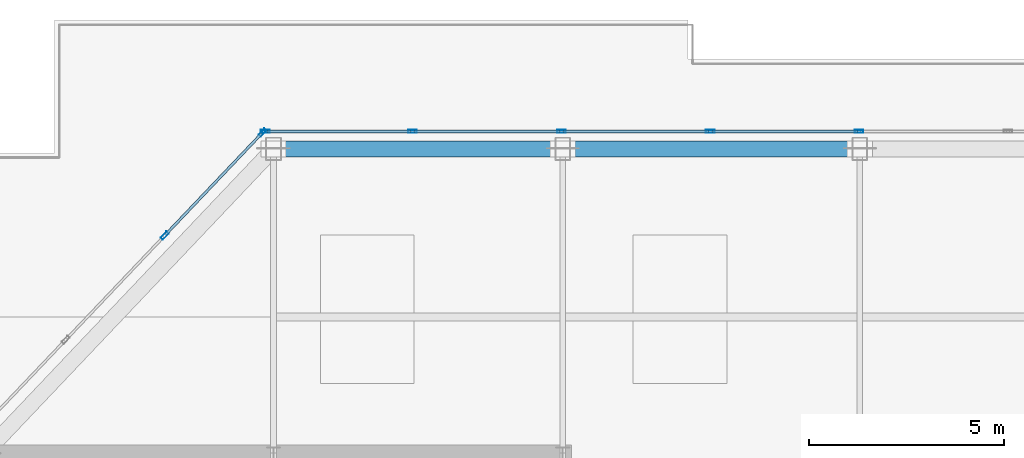
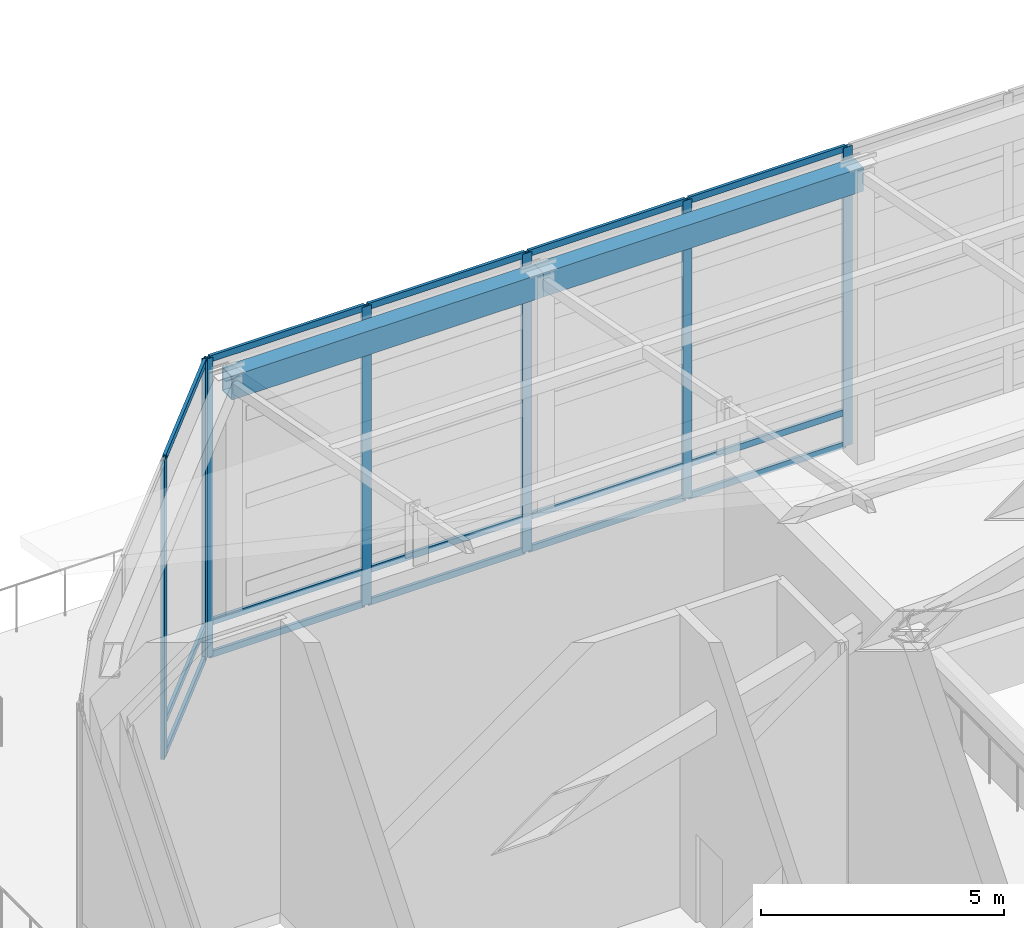
# One storey, part 17 of 25: 22 members, 2 beams, 2 elements without a shape of their own.
"""IFC4 building model written with IfcOpenShell, lengths in metres."""

from ifc_helpers import new_model, si_unit, direction, frame, origin, origin_2d, place, context, subcontext, project, spatial, hollow_rectangle, extrude, source, transform, mapped, material, layer, layer_set, material_profile, profile_set, type_object, type_shapes, element, aggregate, save


model = new_model("IFC4")

# Units and contexts
model_context = context("Model", 3, precision=1e-05, world=origin(), true_north=direction((0.0, 1.0)))
body_context = subcontext(model_context, "Body", "Model", "MODEL_VIEW")
ifc_project = project(units=[si_unit("LENGTHUNIT", "METRE"), si_unit("AREAUNIT", "SQUARE_METRE"), si_unit("VOLUMEUNIT", "CUBIC_METRE"), si_unit("PLANEANGLEUNIT", "RADIAN"), si_unit("MASSUNIT", "GRAM", prefix="KILO")], contexts=[model_context])

# Site, building, storey
site_placement = place(None, origin())
site = spatial("IfcSite", under=ifc_project, at=site_placement, CompositionType="ELEMENT")
building_placement = place(site_placement, origin())
building = spatial("IfcBuilding", under=site, at=building_placement, Name="Haelvirn Gate Laboratories", CompositionType="ELEMENT")
storey_placement = place(building_placement, frame((0.0, 0.0, 337.800048828125)))
storey = spatial("IfcBuildingStorey", under=building, at=storey_placement, Name="RF", CompositionType="ELEMENT", Elevation=337.800048828125)

# Beams
ifc_material_1 = material(Name="Steel SM420", Category="steel")
ifc_material_profile_1 = material_profile(ifc_material_1, hollow_rectangle(XDim=0.39990234375, YDim=0.60009765625, WallThickness=0.02490234375, at=origin_2d()), Name="BOX-600x400x25")
ifc_profile_set_1 = profile_set([ifc_material_profile_1], Name="Steel SM420")
beam_type = type_object("IfcBeamType", Name="BM-CROWN-CAP", PredefinedType="USERDEFINED", material=ifc_profile_set_1)
shared_shape_1 = source(origin(), body_context, "Body", "SweptSolid", [
    extrude(hollow_rectangle(XDim=0.39990234375, YDim=0.60009765625, WallThickness=0.02490234375, at=origin_2d()), origin(), (0.0, 0.0, 1.0), 7.39990234375),
])
beam_1_placement = place(storey_placement, frame((22.199951171875, 41.60009765625, 7.050048828125), z_axis=(-1.0, 0.0, 0.0), x_axis=(0.0, -1.0, 0.0)))
element("IfcBeam", 1, at=beam_1_placement, inside=storey, type_object=beam_type, Name="RF Crown Frame Cap Ring Beam N2-N1", ObjectType="CROWN FRAME", PredefinedType="USERDEFINED", context=body_context, shape_type="MappedRepresentation", body=[
    mapped(shared_shape_1, transform((0.0, 0.0, 0.0), scale=1.0)),
])
shared_shape_2 = source(origin(), body_context, "Body", "SweptSolid", [
    extrude(hollow_rectangle(XDim=0.39990234375, YDim=0.60009765625, WallThickness=0.02490234375, at=origin_2d()), origin(), (0.0, 0.0, 1.0), 7.60009765625),
])
type_shapes(beam_type, [shared_shape_1, shared_shape_2])
beam_2_placement = place(storey_placement, frame((29.800048828125, 41.60009765625, 7.050048828125), z_axis=(-1.0, 0.0, 0.0), x_axis=(0.0, -1.0, 0.0)))
element("IfcBeam", 2, at=beam_2_placement, inside=storey, type_object=beam_type, Name="RF Crown Frame Cap Ring Beam N3-N2", ObjectType="CROWN FRAME", PredefinedType="USERDEFINED", context=body_context, shape_type="MappedRepresentation", body=[
    mapped(shared_shape_2, transform((0.0, 0.0, 0.0), scale=1.0)),
])

# Curtain wall, members
ifc_material_2 = material(Name="Anodised bronze unitised aluminium & triple low-E glass", Category="aluminium")
ifc_layer = layer(ifc_material_2, 0.19189453125, Name="CW-SYS-6")
ifc_layer_set = layer_set([ifc_layer], Name="Anodised bronze unitised aluminium & triple low-E glass")
curtain_wall_type = type_object("IfcCurtainWallType", Name="CW-SYS-6", PredefinedType="NOTDEFINED", material=ifc_layer_set)
curtain_wall_1_placement = place(storey_placement, origin())
curtain_wall_1 = element("IfcCurtainWall", 3, at=curtain_wall_1_placement, inside=storey, type_object=curtain_wall_type, Name="RF Unitised Curtain Wall CW-RF-RING-04", PredefinedType="NOTDEFINED")
ifc_material_3 = material(Name="Extruded aluminium 6063-T6 (anodised bronze)", Category="aluminium")
ifc_material_profile_2 = material_profile(ifc_material_3, hollow_rectangle(XDim=0.080078125, YDim=0.219970703125, WallThickness=0.006103515625, at=origin_2d()), Name="CWM-220x80x6")
ifc_profile_set_2 = profile_set([ifc_material_profile_2], Name="Extruded aluminium 6063-T6 (anodised bronze)")
member_type_1 = type_object("IfcMemberType", Name="CWM-T220", PredefinedType="MULLION", material=ifc_profile_set_2)
shared_shape_3 = source(origin(), body_context, "Body", "SweptSolid", [
    extrude(hollow_rectangle(XDim=0.080078125, YDim=0.219970703125, WallThickness=0.006103515625, at=origin_2d()), origin(), (0.0, 0.0, 1.0), 7.5),
])
type_shapes(member_type_1, [shared_shape_3])
member_1_placement = place(storey_placement, frame((29.783447265625, 42.050048828125, 0.0), z_axis=(0.0, 0.0, 1.0), x_axis=(0.0, -1.0, 0.0)))
member_1 = element("IfcMember", 4, at=member_1_placement, type_object=member_type_1, Name="CW6 mullion 9", PredefinedType="MULLION", context=body_context, shape_type="MappedRepresentation", body=[
    mapped(shared_shape_3, transform((0.0, 0.0, 0.0), scale=1.0)),
])
member_2_placement = place(storey_placement, frame((25.97509765625, 42.050048828125, 0.0), z_axis=(0.0, 0.0, 1.0), x_axis=(0.0, -1.0, 0.0)))
member_2 = element("IfcMember", 5, at=member_2_placement, type_object=member_type_1, Name="CW6 mullion 10", PredefinedType="MULLION", context=body_context, shape_type="MappedRepresentation", body=[
    mapped(shared_shape_3, transform((0.0, 0.0, 0.0), scale=1.0)),
])
member_3_placement = place(storey_placement, frame((22.166748046875, 42.050048828125, 0.0), z_axis=(0.0, 0.0, 1.0), x_axis=(0.0, -1.0, 0.0)))
member_3 = element("IfcMember", 6, at=member_3_placement, type_object=member_type_1, Name="CW6 mullion 11", PredefinedType="MULLION", context=body_context, shape_type="MappedRepresentation", body=[
    mapped(shared_shape_3, transform((0.0, 0.0, 0.0), scale=1.0)),
])
member_4_placement = place(storey_placement, frame((18.3583984375, 42.050048828125, 0.0), z_axis=(0.0, 0.0, 1.0), x_axis=(0.0, -1.0, 0.0)))
member_4 = element("IfcMember", 7, at=member_4_placement, type_object=member_type_1, Name="CW6 mullion 12", PredefinedType="MULLION", context=body_context, shape_type="MappedRepresentation", body=[
    mapped(shared_shape_3, transform((0.0, 0.0, 0.0), scale=1.0)),
])
member_5_placement = place(storey_placement, frame((14.590087890625, 42.050048828125, 0.0), z_axis=(0.0, 0.0, 1.0), x_axis=(0.0, -1.0, 0.0)))
member_5 = element("IfcMember", 8, at=member_5_placement, type_object=member_type_1, Name="CW6 mullion 13", PredefinedType="MULLION", context=body_context, shape_type="MappedRepresentation", body=[
    mapped(shared_shape_3, transform((0.0, 0.0, 0.0), scale=1.0)),
])

curtain_wall_2_placement = place(storey_placement, origin())
curtain_wall_2 = element("IfcCurtainWall", 9, at=curtain_wall_2_placement, inside=storey, type_object=curtain_wall_type, Name="RF Unitised Curtain Wall CW-RF-RING-05", PredefinedType="NOTDEFINED")
member_6_placement = place(storey_placement, frame((14.5224609375, 42.02099609375, 0.0), z_axis=(0.0, 0.0, 1.0), x_axis=(0.72499943359, -0.68874946192, 0.0)))
member_6 = element("IfcMember", 10, at=member_6_placement, type_object=member_type_1, Name="CW6 mullion 1", PredefinedType="MULLION", context=body_context, shape_type="MappedRepresentation", body=[
    mapped(shared_shape_3, transform((0.0, 0.0, 0.0), scale=1.0)),
])
member_7_placement = place(storey_placement, frame((12.0166015625, 39.38330078125, 0.0), z_axis=(0.0, 0.0, 1.0), x_axis=(0.72499943359, -0.68874946192, 0.0)))
member_7 = element("IfcMember", 11, at=member_7_placement, type_object=member_type_1, Name="CW6 mullion 2", PredefinedType="MULLION", context=body_context, shape_type="MappedRepresentation", body=[
    mapped(shared_shape_3, transform((0.0, 0.0, 0.0), scale=1.0)),
])

# Member
ifc_material_profile_3 = material_profile(ifc_material_3, hollow_rectangle(XDim=0.070068359375, YDim=0.159912109375, WallThickness=0.0048828125, at=origin_2d()), Name="CWT-160x70x5")
ifc_profile_set_3 = profile_set([ifc_material_profile_3], Name="Extruded aluminium 6063-T6 (anodised bronze)")
member_type_2 = type_object("IfcMemberType", Name="CWT-T160", PredefinedType="USERDEFINED", material=ifc_profile_set_3)
shared_shape_4 = source(origin(), body_context, "Body", "SweptSolid", [
    extrude(hollow_rectangle(XDim=0.070068359375, YDim=0.159912109375, WallThickness=0.0048828125, at=origin_2d()), origin(), (0.0, 0.0, 1.0), 3.6884765625),
])
member_8_placement = place(storey_placement, frame((18.318359375, 42.050048828125, 0.034912109375), z_axis=(-1.0, 0.0, 0.0), x_axis=(0.0, -1.0, 0.0)))
member_8 = element("IfcMember", 12, at=member_8_placement, type_object=member_type_2, Name="CW6 transom 12.1", ObjectType="TRANSOM", PredefinedType="USERDEFINED", context=body_context, shape_type="MappedRepresentation", body=[
    mapped(shared_shape_4, transform((0.0, 0.0, 0.0), scale=1.0)),
])

member_9_placement = place(storey_placement, frame((18.318359375, 42.050048828125, 0.849853515625), z_axis=(-1.0, 0.0, 0.0), x_axis=(0.0, -1.0, 0.0)))
member_9 = element("IfcMember", 13, at=member_9_placement, type_object=member_type_2, Name="CW6 transom 12.2", ObjectType="TRANSOM", PredefinedType="USERDEFINED", context=body_context, shape_type="MappedRepresentation", body=[
    mapped(shared_shape_4, transform((0.0, 0.0, 0.0), scale=1.0)),
])

member_10_placement = place(storey_placement, frame((18.318359375, 42.050048828125, 7.46484375), z_axis=(-1.0, 0.0, 0.0), x_axis=(0.0, -1.0, 0.0)))
member_10 = element("IfcMember", 14, at=member_10_placement, type_object=member_type_2, Name="CW6 transom 12.3", ObjectType="TRANSOM", PredefinedType="USERDEFINED", context=body_context, shape_type="MappedRepresentation", body=[
    mapped(shared_shape_4, transform((0.0, 0.0, 0.0), scale=1.0)),
])

shared_shape_5 = source(origin(), body_context, "Body", "SweptSolid", [
    extrude(hollow_rectangle(XDim=0.070068359375, YDim=0.159912109375, WallThickness=0.0048828125, at=origin_2d()), origin(), (0.0, 0.0, 1.0), 3.728271484375),
])
member_11_placement = place(storey_placement, frame((25.93505859375, 42.050048828125, 0.034912109375), z_axis=(-1.0, 0.0, 0.0), x_axis=(0.0, -1.0, 0.0)))
member_11 = element("IfcMember", 15, at=member_11_placement, type_object=member_type_2, Name="CW6 transom 10.1", ObjectType="TRANSOM", PredefinedType="USERDEFINED", context=body_context, shape_type="MappedRepresentation", body=[
    mapped(shared_shape_5, transform((0.0, 0.0, 0.0), scale=1.0)),
])

member_12_placement = place(storey_placement, frame((25.93505859375, 42.050048828125, 0.849853515625), z_axis=(-1.0, 0.0, 0.0), x_axis=(0.0, -1.0, 0.0)))
member_12 = element("IfcMember", 16, at=member_12_placement, type_object=member_type_2, Name="CW6 transom 10.2", ObjectType="TRANSOM", PredefinedType="USERDEFINED", context=body_context, shape_type="MappedRepresentation", body=[
    mapped(shared_shape_5, transform((0.0, 0.0, 0.0), scale=1.0)),
])

member_13_placement = place(storey_placement, frame((25.93505859375, 42.050048828125, 7.46484375), z_axis=(-1.0, 0.0, 0.0), x_axis=(0.0, -1.0, 0.0)))
member_13 = element("IfcMember", 17, at=member_13_placement, type_object=member_type_2, Name="CW6 transom 10.3", ObjectType="TRANSOM", PredefinedType="USERDEFINED", context=body_context, shape_type="MappedRepresentation", body=[
    mapped(shared_shape_5, transform((0.0, 0.0, 0.0), scale=1.0)),
])

member_14_placement = place(storey_placement, frame((22.126708984375, 42.050048828125, 0.034912109375), z_axis=(-1.0, 0.0, 0.0), x_axis=(0.0, -1.0, 0.0)))
member_14 = element("IfcMember", 18, at=member_14_placement, type_object=member_type_2, Name="CW6 transom 11.1", ObjectType="TRANSOM", PredefinedType="USERDEFINED", context=body_context, shape_type="MappedRepresentation", body=[
    mapped(shared_shape_5, transform((0.0, 0.0, 0.0), scale=1.0)),
])

member_15_placement = place(storey_placement, frame((22.126708984375, 42.050048828125, 0.849853515625), z_axis=(-1.0, 0.0, 0.0), x_axis=(0.0, -1.0, 0.0)))
member_15 = element("IfcMember", 19, at=member_15_placement, type_object=member_type_2, Name="CW6 transom 11.2", ObjectType="TRANSOM", PredefinedType="USERDEFINED", context=body_context, shape_type="MappedRepresentation", body=[
    mapped(shared_shape_5, transform((0.0, 0.0, 0.0), scale=1.0)),
])

member_16_placement = place(storey_placement, frame((22.126708984375, 42.050048828125, 7.46484375), z_axis=(-1.0, 0.0, 0.0), x_axis=(0.0, -1.0, 0.0)))
member_16 = element("IfcMember", 20, at=member_16_placement, type_object=member_type_2, Name="CW6 transom 11.3", ObjectType="TRANSOM", PredefinedType="USERDEFINED", context=body_context, shape_type="MappedRepresentation", body=[
    mapped(shared_shape_5, transform((0.0, 0.0, 0.0), scale=1.0)),
])

shared_shape_6 = source(origin(), body_context, "Body", "SweptSolid", [
    extrude(hollow_rectangle(XDim=0.070068359375, YDim=0.159912109375, WallThickness=0.0048828125, at=origin_2d()), origin(), (0.0, 0.0, 1.0), 3.728515625),
])
member_17_placement = place(storey_placement, frame((29.743408203125, 42.050048828125, 0.034912109375), z_axis=(-1.0, 0.0, 0.0), x_axis=(0.0, -1.0, 0.0)))
member_17 = element("IfcMember", 21, at=member_17_placement, type_object=member_type_2, Name="CW6 transom 9.1", ObjectType="TRANSOM", PredefinedType="USERDEFINED", context=body_context, shape_type="MappedRepresentation", body=[
    mapped(shared_shape_6, transform((0.0, 0.0, 0.0), scale=1.0)),
])

member_18_placement = place(storey_placement, frame((29.743408203125, 42.050048828125, 0.849853515625), z_axis=(-1.0, 0.0, 0.0), x_axis=(0.0, -1.0, 0.0)))
member_18 = element("IfcMember", 22, at=member_18_placement, type_object=member_type_2, Name="CW6 transom 9.2", ObjectType="TRANSOM", PredefinedType="USERDEFINED", context=body_context, shape_type="MappedRepresentation", body=[
    mapped(shared_shape_6, transform((0.0, 0.0, 0.0), scale=1.0)),
])

member_19_placement = place(storey_placement, frame((29.743408203125, 42.050048828125, 7.46484375), z_axis=(-1.0, 0.0, 0.0), x_axis=(0.0, -1.0, 0.0)))
member_19 = element("IfcMember", 23, at=member_19_placement, type_object=member_type_2, Name="CW6 transom 9.3", ObjectType="TRANSOM", PredefinedType="USERDEFINED", context=body_context, shape_type="MappedRepresentation", body=[
    mapped(shared_shape_6, transform((0.0, 0.0, 0.0), scale=1.0)),
])

aggregate(curtain_wall_1, [member_1, member_2, member_3, member_4, member_5, member_17, member_18, member_19, member_11, member_12, member_13, member_14, member_15, member_16, member_8, member_9, member_10])

shared_shape_7 = source(origin(), body_context, "Body", "SweptSolid", [
    extrude(hollow_rectangle(XDim=0.070068359375, YDim=0.159912109375, WallThickness=0.0048828125, at=origin_2d()), origin(), (0.0, 0.0, 1.0), 3.55810546875),
])
type_shapes(member_type_2, [shared_shape_4, shared_shape_5, shared_shape_6, shared_shape_7])
member_20_placement = place(storey_placement, frame((14.494873046875, 41.991943359375, 0.034912109375), z_axis=(-0.688760281595, -0.724989154745, 0.0), x_axis=(0.724989154745, -0.688760281595, 0.0)))
member_20 = element("IfcMember", 24, at=member_20_placement, type_object=member_type_2, Name="CW6 transom 1.1", ObjectType="TRANSOM", PredefinedType="USERDEFINED", context=body_context, shape_type="MappedRepresentation", body=[
    mapped(shared_shape_7, transform((0.0, 0.0, 0.0), scale=1.0)),
])

member_21_placement = place(storey_placement, frame((14.494873046875, 41.991943359375, 0.849853515625), z_axis=(-0.688760281595, -0.724989154745, 0.0), x_axis=(0.724989154745, -0.688760281595, 0.0)))
member_21 = element("IfcMember", 25, at=member_21_placement, type_object=member_type_2, Name="CW6 transom 1.2", ObjectType="TRANSOM", PredefinedType="USERDEFINED", context=body_context, shape_type="MappedRepresentation", body=[
    mapped(shared_shape_7, transform((0.0, 0.0, 0.0), scale=1.0)),
])

member_22_placement = place(storey_placement, frame((14.494873046875, 41.991943359375, 7.46484375), z_axis=(-0.688760281595, -0.724989154745, 0.0), x_axis=(0.724989154745, -0.688760281595, 0.0)))
member_22 = element("IfcMember", 26, at=member_22_placement, type_object=member_type_2, Name="CW6 transom 1.3", ObjectType="TRANSOM", PredefinedType="USERDEFINED", context=body_context, shape_type="MappedRepresentation", body=[
    mapped(shared_shape_7, transform((0.0, 0.0, 0.0), scale=1.0)),
])

aggregate(curtain_wall_2, [member_6, member_7, member_20, member_21, member_22])

save(model, "model.ifc")
